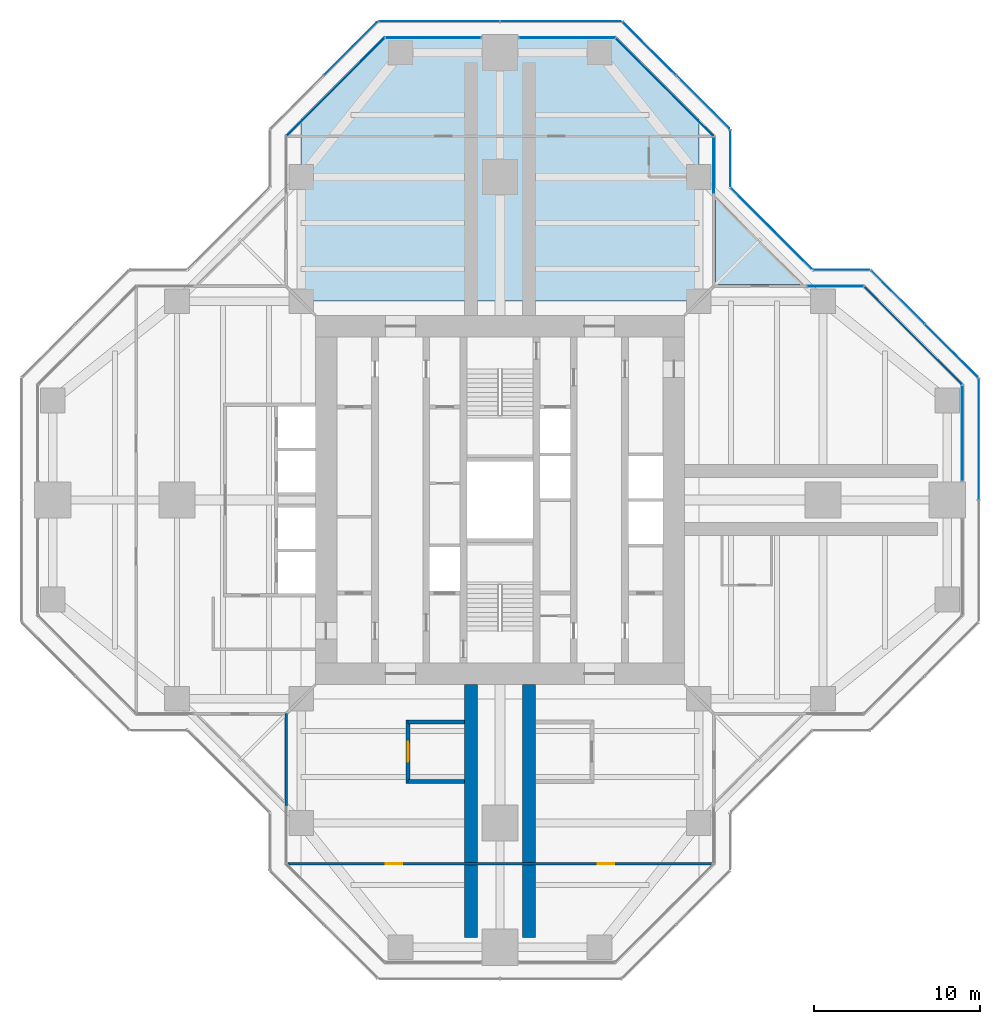
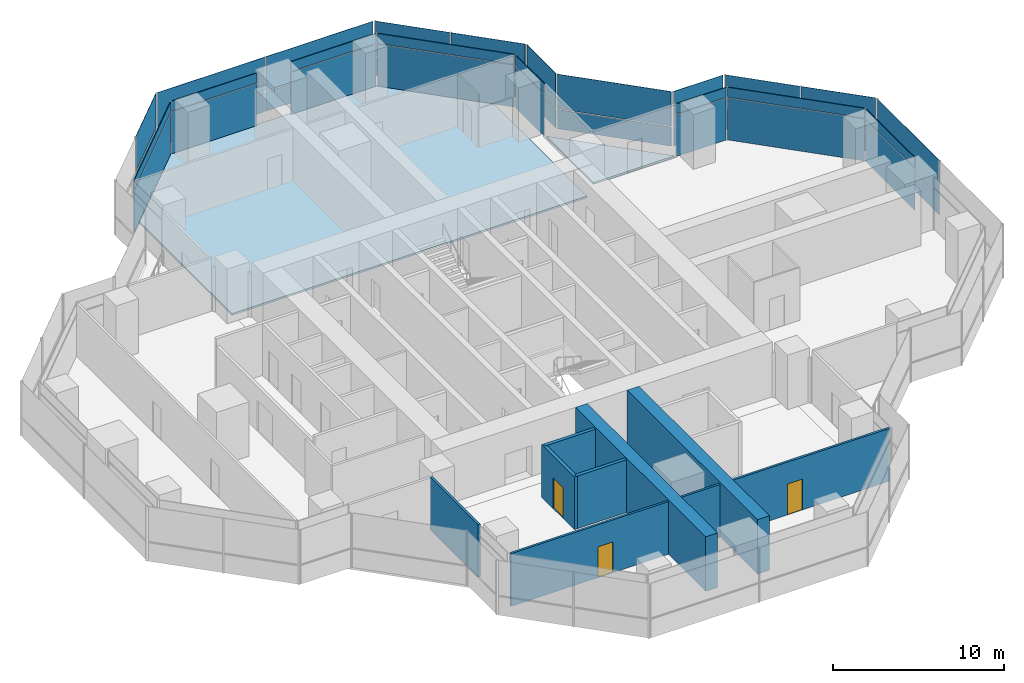
# One storey, part 12 of 17: 38 plates, 7 walls, 3 doors, 2 slabs, 3 openings, 16 elements without a shape of their own.
"""IFC4 building model written with IfcOpenShell, lengths in metres."""

import ifcopenshell
import ifcopenshell.guid

model = None  # the IFC model being written
_history = None  # IfcOwnerHistory: only IFC2X3 demands one
_inside = {}  # id of a spatial element -> (the spatial element, [elements in it])
_under = {}  # id of a project, library or spatial element -> (it, [spatial elements below it])
_declared = {}  # id of a project -> (the project, [libraries it declares])
_typed = {}  # id of a type object -> (the type object, [elements of that type])
_made_of = {}  # id of a material, layer set ... -> (it, [elements and type objects made of it])


def new_model(schema):
    """Start an empty IFC model of exactly this schema.

    Asked for "IFC4X3", IfcOpenShell would pick the latest addendum, in which some entities
    have other attributes; the version numbers below select the first issue.
    IFC2X3 requires an IfcOwnerHistory on every rooted entity: one is made here for all.
    """
    global model, _history
    if schema == "IFC4X3":
        model = ifcopenshell.file(schema_version=(4, 3, 0, 0))
    else:
        model = ifcopenshell.file(schema=schema)
    _inside.clear()
    _under.clear()
    _declared.clear()
    _typed.clear()
    _made_of.clear()
    _history = None
    if model.schema == "IFC2X3":
        org = make("IfcOrganization", Name="unknown")
        user = make(
            "IfcPersonAndOrganization",
            ThePerson=make("IfcPerson", FamilyName="unknown"),
            TheOrganization=org,
        )
        app = make(
            "IfcApplication",
            ApplicationDeveloper=org,
            Version="unknown",
            ApplicationFullName="unknown",
            ApplicationIdentifier="unknown",
        )
        _history = make(
            "IfcOwnerHistory",
            OwningUser=user,
            OwningApplication=app,
            ChangeAction="ADDED",
            CreationDate=0,
        )
    return model


def make(cls, **values):
    """One entity of the class cls with the attributes given. An attribute that is None is left unset."""
    return model.create_entity(
        cls, **{name: value for name, value in values.items() if value is not None}
    )


def rooted(cls, **values):
    """An entity with a GlobalId (a new one), such as an element, a storey or a relation."""
    return make(cls, GlobalId=ifcopenshell.guid.new(), OwnerHistory=_history, **values)


def si_unit(unit_type, name, prefix=None):
    """IfcSIUnit, for example si_unit("LENGTHUNIT", "METRE", prefix="MILLI")."""
    return make("IfcSIUnit", UnitType=unit_type, Prefix=prefix, Name=name)


def assignment(units):
    """IfcUnitAssignment: the units of a project."""
    return None if units is None else make("IfcUnitAssignment", Units=units)


def point(xyz):
    """IfcCartesianPoint."""
    return None if xyz is None else make("IfcCartesianPoint", Coordinates=xyz)


def direction(xyz):
    """IfcDirection."""
    return None if xyz is None else make("IfcDirection", DirectionRatios=xyz)


def frame(location, z_axis=None, x_axis=None):
    """IfcAxis2Placement3D, a coordinate frame: its origin and axes. An axis left out is left unset."""
    return make(
        "IfcAxis2Placement3D",
        Location=point(location),
        Axis=direction(z_axis),
        RefDirection=direction(x_axis),
    )


def frame_2d(location, x_axis=None):
    """IfcAxis2Placement2D, a coordinate frame in the plane: its origin and x axis."""
    return make(
        "IfcAxis2Placement2D", Location=point(location), RefDirection=direction(x_axis)
    )


def origin():
    """The frame at (0, 0, 0) with its axes left unset."""
    return frame((0.0, 0.0, 0.0))


def origin_2d():
    """The frame at (0, 0) in the plane with its x axis left unset."""
    return frame_2d((0.0, 0.0))


def place(relative_to, where):
    """IfcLocalPlacement: puts the frame where relative to a parent placement (None: the world)."""
    return make(
        "IfcLocalPlacement", PlacementRelTo=relative_to, RelativePlacement=where
    )


def context(
    kind, dimensions, precision=None, world=None, true_north=None, identifier=None
):
    """IfcGeometricRepresentationContext, for example the 3D "Model" context."""
    return make(
        "IfcGeometricRepresentationContext",
        ContextIdentifier=identifier,
        ContextType=kind,
        CoordinateSpaceDimension=dimensions,
        Precision=precision,
        WorldCoordinateSystem=world,
        TrueNorth=true_north,
    )


def subcontext(parent, identifier, kind, view, scale=None):
    """IfcGeometricRepresentationSubContext, for example "Body" below "Model"."""
    return make(
        "IfcGeometricRepresentationSubContext",
        ContextIdentifier=identifier,
        ContextType=kind,
        ParentContext=parent,
        TargetScale=scale,
        TargetView=view,
    )


def project(units=None, contexts=None):
    """IfcProject with its units and contexts."""
    return rooted(
        "IfcProject",
        Name="project",
        RepresentationContexts=contexts,
        UnitsInContext=assignment(units),
    )


def spatial(cls, under=None, at=None, **own):
    """A site, building, storey or space (cls), placed at a placement, below another one or the project."""
    s = rooted(cls, ObjectPlacement=at, **own)
    if under is not None:
        _under.setdefault(under.id(), (under, []))[1].append(s)
    return s


def polyline(points):
    """IfcPolyline through the points."""
    return make("IfcPolyline", Points=[point(p) for p in points])


def profile(cls, at=None, kind="AREA", **sizes):
    """A parametric profile (cls). Its sizes go by their IFC names, for example OverallWidth=200.0."""
    return make(cls, ProfileType=kind, Position=at, **sizes)


def rectangle(**sizes):
    """IfcRectangleProfileDef."""
    return profile("IfcRectangleProfileDef", **sizes)


def outline(outer, holes=None, kind="AREA"):
    """IfcArbitraryClosedProfileDef: a profile drawn as a closed curve; with holes, ...WithVoids."""
    if holes is None:
        return make("IfcArbitraryClosedProfileDef", ProfileType=kind, OuterCurve=outer)
    return make(
        "IfcArbitraryProfileDefWithVoids",
        ProfileType=kind,
        OuterCurve=outer,
        InnerCurves=holes,
    )


def extrude(swept, where, along, depth):
    """IfcExtrudedAreaSolid: the profile swept, set in the frame where, extruded along a direction by depth."""
    return make(
        "IfcExtrudedAreaSolid",
        SweptArea=swept,
        Position=where,
        ExtrudedDirection=direction(along),
        Depth=depth,
    )


def shape(context_of_items, identifier, shape_type, items):
    """IfcShapeRepresentation: the items that make up one representation, for example the "Body"."""
    return make(
        "IfcShapeRepresentation",
        ContextOfItems=context_of_items,
        RepresentationIdentifier=identifier,
        RepresentationType=shape_type,
        Items=items,
    )


def material(Name=None, Category=None):
    """IfcMaterial."""
    return make("IfcMaterial", Name=Name, Category=Category)


def layer(
    of_material, thickness, ventilated=None, Name=None, Category=None, Priority=None
):
    """IfcMaterialLayer: one layer of a wall or slab, of a material (None: an air gap)."""
    return make(
        "IfcMaterialLayer",
        Material=of_material,
        LayerThickness=thickness,
        IsVentilated=ventilated,
        Name=Name,
        Category=Category,
        Priority=Priority,
    )


def layer_set(layers, Name=None):
    """IfcMaterialLayerSet."""
    return make("IfcMaterialLayerSet", MaterialLayers=layers, LayerSetName=Name)


def made_of(thing, what):
    """Note that an element or type object is made of a material, layer set ...; save() writes the relation."""
    if what is not None:
        _made_of.setdefault(what.id(), (what, []))[1].append(thing)
    return thing


def type_object(cls, material=None, **own):
    """A type object (cls), such as IfcWallType, which elements share."""
    return made_of(rooted(cls, **own), material)


def element(
    cls,
    number,
    at=None,
    inside=None,
    cuts=None,
    type_object=None,
    material=None,
    context=None,
    identifier="Body",
    shape_type=None,
    held_by="IfcProductDefinitionShape",
    body=None,
    shapes=None,
    **own,
):
    """One element of the class cls, such as IfcWall. Its Tag is "e" and its number.

    at: its placement. inside: the storey or other place that contains it. cuts: it is an
    opening in that element (IfcRelVoidsElement). A single representation is given by context,
    identifier, shape_type and body (its items); several are given by shapes. held_by: the class
    of the entity that holds the representations. save() writes the other relations.
    """
    e = rooted(cls, Tag="e%d" % number, ObjectPlacement=at, **own)
    if body is not None:
        shapes = [shape(context, identifier, shape_type, body)]
    if shapes is not None:
        e.Representation = make(held_by, Representations=shapes)
    if inside is not None:
        _inside.setdefault(inside.id(), (inside, []))[1].append(e)
    if cuts is not None:
        rooted(
            "IfcRelVoidsElement", RelatingBuildingElement=cuts, RelatedOpeningElement=e
        )
    if type_object is not None:
        _typed.setdefault(type_object.id(), (type_object, []))[1].append(e)
    return made_of(e, material)


def fill(opening, filler):
    """IfcRelFillsElement: the door or window that sits in an opening."""
    return rooted(
        "IfcRelFillsElement",
        RelatingOpeningElement=opening,
        RelatedBuildingElement=filler,
    )


def aggregate(whole, parts):
    """IfcRelAggregates: a whole, such as a stair, and the parts it consists of."""
    return rooted("IfcRelAggregates", RelatingObject=whole, RelatedObjects=parts)


def save(model, path):
    """Write the relations noted so far, then the file.

    IfcRelAggregates (storeys below a building ...), IfcRelContainedInSpatialStructure (elements
    in a storey), IfcRelDefinesByType, IfcRelAssociatesMaterial and IfcRelDeclares: one each for
    every whole, place, type object, material and project.
    """
    for whole, parts in _under.values():
        aggregate(whole, parts)
    for where, things in _inside.values():
        rooted(
            "IfcRelContainedInSpatialStructure",
            RelatedElements=things,
            RelatingStructure=where,
        )
    for kind, things in _typed.values():
        rooted("IfcRelDefinesByType", RelatedObjects=things, RelatingType=kind)
    for what, things in _made_of.values():
        rooted("IfcRelAssociatesMaterial", RelatedObjects=things, RelatingMaterial=what)
    for by, libraries in _declared.values():
        rooted("IfcRelDeclares", RelatingContext=by, RelatedDefinitions=libraries)
    model.write(path)


model = new_model("IFC4")

# Units and contexts
model_context = context("Model", 3, precision=1e-05, world=origin(), true_north=direction((0.0, 1.0)))
body_context = subcontext(model_context, "Body", "Model", "MODEL_VIEW")
ifc_project = project(units=[si_unit("LENGTHUNIT", "METRE"), si_unit("AREAUNIT", "SQUARE_METRE"), si_unit("VOLUMEUNIT", "CUBIC_METRE"), si_unit("PLANEANGLEUNIT", "RADIAN"), si_unit("MASSUNIT", "GRAM", prefix="KILO")], contexts=[model_context])

# Site, building, storey
site_placement = place(None, origin())
site = spatial("IfcSite", under=ifc_project, at=site_placement, CompositionType="ELEMENT")
building_placement = place(site_placement, origin())
building = spatial("IfcBuilding", under=site, at=building_placement, Name="Mizan Broadcast Tower", CompositionType="ELEMENT")
storey_placement = place(building_placement, frame((0.0, 0.0, 216.60009765625)))
storey = spatial("IfcBuildingStorey", under=building, at=storey_placement, Name="L50", CompositionType="ELEMENT", Elevation=216.60009765625)

# Slab
ifc_material_1 = material(Name="Concrete C32/40", Category="concrete")
ifc_layer_1 = layer(ifc_material_1, 0.1298828125)
ifc_layer_set_1 = layer_set([ifc_layer_1], Name="Concrete C32/40")
slab_type_1 = type_object("IfcSlabType", Name="COMPOSITE DECK SLAB 130", PredefinedType="FLOOR", material=ifc_layer_set_1)
slab_1_placement = place(storey_placement, frame((0.0, 0.0, -0.130126953125)))
element("IfcSlab", 1, at=slab_1_placement, inside=storey, type_object=slab_type_1, Name="Floor slab L50 north arm", PredefinedType="FLOOR", context=body_context, shape_type="SweptSolid", body=[
    extrude(outline(polyline([(-7.0, 28.0), (-12.0, 23.0), (-12.0, 12.0), (12.0, 12.0), (12.0, 23.0), (7.0, 28.0), (-7.0, 28.0)])), origin(), (0.0, 0.0, 1.0), 0.130126953125),
])

# Curtain wall, plate
ifc_material_2 = material(Name="Aluminium framed glazing", Category="aluminium")
curtain_wall_type_1 = type_object("IfcCurtainWallType", Name="INNER SKIN HIGH ZONE", PredefinedType="USERDEFINED", material=ifc_material_2)
curtain_wall_1_placement = place(storey_placement, origin())
curtain_wall_1 = element("IfcCurtainWall", 2, at=curtain_wall_1_placement, inside=storey, type_object=curtain_wall_type_1, Name="Inner skin high zone L50 E end", ObjectType="INNER SKIN HIGH ZONE", PredefinedType="USERDEFINED")
ifc_material_3 = material(Name="Double glazing, clear low-e", Category="glass")
ifc_layer_2 = layer(ifc_material_3, 0.028076171875)
ifc_layer_set_2 = layer_set([ifc_layer_2], Name="Double glazing, clear low-e")
plate_type_1 = type_object("IfcPlateType", Name="INNER SKIN GLAZING UNIT", PredefinedType="CURTAIN_PANEL", material=ifc_layer_set_2)
plate_1_placement = place(storey_placement, frame((27.89990234375, 4.029296875, 0.0), z_axis=(0.0, 0.0, 1.0), x_axis=(0.0, 1.0, 0.0)))
plate_1 = element("IfcPlate", 3, at=plate_1_placement, type_object=plate_type_1, Name="Inner skin high zone L50 E end panel 1.1", PredefinedType="CURTAIN_PANEL", context=body_context, shape_type="SweptSolid", body=[
    extrude(rectangle(XDim=5.738525390625, YDim=0.028076171875, at=origin_2d()), origin(), (0.0, 0.0, 1.0), 3.0),
])

curtain_wall_2_placement = place(storey_placement, origin())
curtain_wall_2 = element("IfcCurtainWall", 4, at=curtain_wall_2_placement, inside=storey, type_object=curtain_wall_type_1, Name="Inner skin high zone L50 E chamfer", ObjectType="INNER SKIN HIGH ZONE", PredefinedType="USERDEFINED")
plate_2_placement = place(storey_placement, frame((24.92919921875, 9.92919921875, 0.0), z_axis=(0.0, 0.0, 1.0), x_axis=(-0.707106781187, 0.707106781187, 0.0)))
plate_2 = element("IfcPlate", 5, at=plate_2_placement, type_object=plate_type_1, Name="Inner skin high zone L50 E chamfer panel 1.1", PredefinedType="CURTAIN_PANEL", context=body_context, shape_type="SweptSolid", body=[
    extrude(rectangle(XDim=8.282470703125, YDim=0.028076171875, at=origin_2d()), origin(), (0.0, 0.0, 1.0), 3.0),
])

curtain_wall_3_placement = place(storey_placement, origin())
curtain_wall_3 = element("IfcCurtainWall", 6, at=curtain_wall_3_placement, inside=storey, type_object=curtain_wall_type_1, Name="Inner skin high zone L50 E side", ObjectType="INNER SKIN HIGH ZONE", PredefinedType="USERDEFINED")
plate_3_placement = place(storey_placement, frame((20.229248046875, 12.89990234375, 0.0), z_axis=(0.0, 0.0, 1.0), x_axis=(-1.0, 0.0, 0.0)))
plate_3 = element("IfcPlate", 7, at=plate_3_placement, type_object=plate_type_1, Name="Inner skin high zone L50 E side panel 1.1", PredefinedType="CURTAIN_PANEL", context=body_context, shape_type="SweptSolid", body=[
    extrude(rectangle(XDim=3.338623046875, YDim=0.028076171875, at=origin_2d()), origin(), (0.0, 0.0, 1.0), 3.0),
])

curtain_wall_4_placement = place(storey_placement, origin())
curtain_wall_4 = element("IfcCurtainWall", 8, at=curtain_wall_4_placement, inside=storey, type_object=curtain_wall_type_1, Name="Inner skin high zone L50 N side", ObjectType="INNER SKIN HIGH ZONE", PredefinedType="USERDEFINED")
plate_4_placement = place(storey_placement, frame((12.89990234375, 20.229248046875, 0.0), z_axis=(0.0, 0.0, 1.0), x_axis=(0.0, 1.0, 0.0)))
plate_4 = element("IfcPlate", 9, at=plate_4_placement, type_object=plate_type_1, Name="Inner skin high zone L50 N side panel 1.1", PredefinedType="CURTAIN_PANEL", context=body_context, shape_type="SweptSolid", body=[
    extrude(rectangle(XDim=3.338623046875, YDim=0.028076171875, at=origin_2d()), origin(), (0.0, 0.0, 1.0), 3.0),
])

curtain_wall_5_placement = place(storey_placement, origin())
curtain_wall_5 = element("IfcCurtainWall", 10, at=curtain_wall_5_placement, inside=storey, type_object=curtain_wall_type_1, Name="Inner skin high zone L50 N chamfer", ObjectType="INNER SKIN HIGH ZONE", PredefinedType="USERDEFINED")
plate_5_placement = place(storey_placement, frame((9.92919921875, 24.92919921875, 0.0), z_axis=(0.0, 0.0, 1.0), x_axis=(-0.707106781187, 0.707106781187, 0.0)))
plate_5 = element("IfcPlate", 11, at=plate_5_placement, type_object=plate_type_1, Name="Inner skin high zone L50 N chamfer panel 1.1", PredefinedType="CURTAIN_PANEL", context=body_context, shape_type="SweptSolid", body=[
    extrude(rectangle(XDim=8.282470703125, YDim=0.028076171875, at=origin_2d()), origin(), (0.0, 0.0, 1.0), 3.0),
])

curtain_wall_6_placement = place(storey_placement, origin())
curtain_wall_6 = element("IfcCurtainWall", 12, at=curtain_wall_6_placement, inside=storey, type_object=curtain_wall_type_1, Name="Inner skin high zone L50 N end", ObjectType="INNER SKIN HIGH ZONE", PredefinedType="USERDEFINED")
plate_6_placement = place(storey_placement, frame((4.029296875, 27.89990234375, 0.0), z_axis=(0.0, 0.0, 1.0), x_axis=(-1.0, 0.0, 0.0)))
plate_6 = element("IfcPlate", 13, at=plate_6_placement, type_object=plate_type_1, Name="Inner skin high zone L50 N end panel 1.1", PredefinedType="CURTAIN_PANEL", context=body_context, shape_type="SweptSolid", body=[
    extrude(rectangle(XDim=5.738525390625, YDim=0.028076171875, at=origin_2d()), origin(), (0.0, 0.0, 1.0), 3.0),
])

curtain_wall_7_placement = place(storey_placement, origin())
curtain_wall_7 = element("IfcCurtainWall", 14, at=curtain_wall_7_placement, inside=storey, type_object=curtain_wall_type_1, Name="Inner skin high zone L50 N end", ObjectType="INNER SKIN HIGH ZONE", PredefinedType="USERDEFINED")
plate_7_placement = place(storey_placement, frame((-4.029296875, 27.89990234375, 0.0), z_axis=(0.0, 0.0, 1.0), x_axis=(-1.0, 0.0, 0.0)))
plate_7 = element("IfcPlate", 15, at=plate_7_placement, type_object=plate_type_1, Name="Inner skin high zone L50 N end panel 1.1", PredefinedType="CURTAIN_PANEL", context=body_context, shape_type="SweptSolid", body=[
    extrude(rectangle(XDim=5.738525390625, YDim=0.028076171875, at=origin_2d()), origin(), (0.0, 0.0, 1.0), 3.0),
])

curtain_wall_8_placement = place(storey_placement, origin())
curtain_wall_8 = element("IfcCurtainWall", 16, at=curtain_wall_8_placement, inside=storey, type_object=curtain_wall_type_1, Name="Inner skin high zone L50 N chamfer", ObjectType="INNER SKIN HIGH ZONE", PredefinedType="USERDEFINED")
plate_8_placement = place(storey_placement, frame((-9.92919921875, 24.92919921875, 0.0), z_axis=(0.0, 0.0, 1.0), x_axis=(-0.707106781187, -0.707106781187, 0.0)))
plate_8 = element("IfcPlate", 17, at=plate_8_placement, type_object=plate_type_1, Name="Inner skin high zone L50 N chamfer panel 1.1", PredefinedType="CURTAIN_PANEL", context=body_context, shape_type="SweptSolid", body=[
    extrude(rectangle(XDim=8.282470703125, YDim=0.028076171875, at=origin_2d()), origin(), (0.0, 0.0, 1.0), 3.0),
])

# Plate
ifc_material_4 = material(Name="Insulated aluminium spandrel panel, pale anodised", Category="aluminium")
ifc_layer_3 = layer(ifc_material_4, 0.050048828125)
ifc_layer_set_3 = layer_set([ifc_layer_3], Name="Insulated aluminium spandrel panel, pale anodised")
plate_type_2 = type_object("IfcPlateType", Name="INNER SKIN SPANDREL PANEL", PredefinedType="CURTAIN_PANEL", material=ifc_layer_set_3)
plate_9_placement = place(storey_placement, frame((27.89990234375, 4.029296875, 3.059814453125), z_axis=(0.0, 0.0, 1.0), x_axis=(0.0, 1.0, 0.0)))
plate_9 = element("IfcPlate", 18, at=plate_9_placement, type_object=plate_type_2, Name="Inner skin high zone L50 E end panel 1.2", PredefinedType="CURTAIN_PANEL", context=body_context, shape_type="SweptSolid", body=[
    extrude(rectangle(XDim=5.738525390625, YDim=0.050048828125, at=origin_2d()), origin(), (0.0, 0.0, 1.0), 0.7099609375),
])

aggregate(curtain_wall_1, [plate_1, plate_9])

plate_10_placement = place(storey_placement, frame((24.92919921875, 9.92919921875, 3.059814453125), z_axis=(0.0, 0.0, 1.0), x_axis=(-0.707106781187, 0.707106781187, 0.0)))
plate_10 = element("IfcPlate", 19, at=plate_10_placement, type_object=plate_type_2, Name="Inner skin high zone L50 E chamfer panel 1.2", PredefinedType="CURTAIN_PANEL", context=body_context, shape_type="SweptSolid", body=[
    extrude(rectangle(XDim=8.282470703125, YDim=0.050048828125, at=origin_2d()), origin(), (0.0, 0.0, 1.0), 0.7099609375),
])

aggregate(curtain_wall_2, [plate_2, plate_10])

plate_11_placement = place(storey_placement, frame((20.229248046875, 12.89990234375, 3.059814453125), z_axis=(0.0, 0.0, 1.0), x_axis=(-1.0, 0.0, 0.0)))
plate_11 = element("IfcPlate", 20, at=plate_11_placement, type_object=plate_type_2, Name="Inner skin high zone L50 E side panel 1.2", PredefinedType="CURTAIN_PANEL", context=body_context, shape_type="SweptSolid", body=[
    extrude(rectangle(XDim=3.338623046875, YDim=0.050048828125, at=origin_2d()), origin(), (0.0, 0.0, 1.0), 0.7099609375),
])

aggregate(curtain_wall_3, [plate_3, plate_11])

plate_12_placement = place(storey_placement, frame((12.89990234375, 20.229248046875, 3.059814453125), z_axis=(0.0, 0.0, 1.0), x_axis=(0.0, 1.0, 0.0)))
plate_12 = element("IfcPlate", 21, at=plate_12_placement, type_object=plate_type_2, Name="Inner skin high zone L50 N side panel 1.2", PredefinedType="CURTAIN_PANEL", context=body_context, shape_type="SweptSolid", body=[
    extrude(rectangle(XDim=3.338623046875, YDim=0.050048828125, at=origin_2d()), origin(), (0.0, 0.0, 1.0), 0.7099609375),
])

aggregate(curtain_wall_4, [plate_4, plate_12])

plate_13_placement = place(storey_placement, frame((9.92919921875, 24.92919921875, 3.059814453125), z_axis=(0.0, 0.0, 1.0), x_axis=(-0.707106781187, 0.707106781187, 0.0)))
plate_13 = element("IfcPlate", 22, at=plate_13_placement, type_object=plate_type_2, Name="Inner skin high zone L50 N chamfer panel 1.2", PredefinedType="CURTAIN_PANEL", context=body_context, shape_type="SweptSolid", body=[
    extrude(rectangle(XDim=8.282470703125, YDim=0.050048828125, at=origin_2d()), origin(), (0.0, 0.0, 1.0), 0.7099609375),
])

aggregate(curtain_wall_5, [plate_5, plate_13])

plate_14_placement = place(storey_placement, frame((4.029296875, 27.89990234375, 3.059814453125), z_axis=(0.0, 0.0, 1.0), x_axis=(-1.0, 0.0, 0.0)))
plate_14 = element("IfcPlate", 23, at=plate_14_placement, type_object=plate_type_2, Name="Inner skin high zone L50 N end panel 1.2", PredefinedType="CURTAIN_PANEL", context=body_context, shape_type="SweptSolid", body=[
    extrude(rectangle(XDim=5.738525390625, YDim=0.050048828125, at=origin_2d()), origin(), (0.0, 0.0, 1.0), 0.7099609375),
])

aggregate(curtain_wall_6, [plate_6, plate_14])

plate_15_placement = place(storey_placement, frame((-4.029296875, 27.89990234375, 3.059814453125), z_axis=(0.0, 0.0, 1.0), x_axis=(-1.0, 0.0, 0.0)))
plate_15 = element("IfcPlate", 24, at=plate_15_placement, type_object=plate_type_2, Name="Inner skin high zone L50 N end panel 1.2", PredefinedType="CURTAIN_PANEL", context=body_context, shape_type="SweptSolid", body=[
    extrude(rectangle(XDim=5.738525390625, YDim=0.050048828125, at=origin_2d()), origin(), (0.0, 0.0, 1.0), 0.7099609375),
])

aggregate(curtain_wall_7, [plate_7, plate_15])

plate_16_placement = place(storey_placement, frame((-9.92919921875, 24.92919921875, 3.059814453125), z_axis=(0.0, 0.0, 1.0), x_axis=(-0.707106781187, -0.707106781187, 0.0)))
plate_16 = element("IfcPlate", 25, at=plate_16_placement, type_object=plate_type_2, Name="Inner skin high zone L50 N chamfer panel 1.2", PredefinedType="CURTAIN_PANEL", context=body_context, shape_type="SweptSolid", body=[
    extrude(rectangle(XDim=8.282470703125, YDim=0.050048828125, at=origin_2d()), origin(), (0.0, 0.0, 1.0), 0.7099609375),
])

aggregate(curtain_wall_8, [plate_8, plate_16])

# Curtain wall, plates
ifc_material_5 = material(Name="Aluminium framed glazing", Category="aluminium")
curtain_wall_type_2 = type_object("IfcCurtainWallType", Name="OUTER SKIN", PredefinedType="USERDEFINED", material=ifc_material_5)
curtain_wall_9_placement = place(storey_placement, origin())
curtain_wall_9 = element("IfcCurtainWall", 26, at=curtain_wall_9_placement, inside=storey, type_object=curtain_wall_type_2, Name="Outer skin L50 E chamfer", ObjectType="OUTER SKIN", PredefinedType="USERDEFINED")
ifc_material_6 = material(Name="Laminated clear glass", Category="glass")
ifc_layer_4 = layer(ifc_material_6, 0.02001953125)
ifc_layer_set_4 = layer_set([ifc_layer_4], Name="Laminated clear glass")
plate_type_3 = type_object("IfcPlateType", Name="OUTER SKIN CLEAR GLASS", PredefinedType="CURTAIN_PANEL", material=ifc_layer_set_4)
plate_17_placement = place(storey_placement, frame((27.254150390625, 9.018798828125, -0.000244140625), z_axis=(0.0, 0.0, 1.0), x_axis=(-0.707106781187, 0.707106781187, 0.0)))
plate_17 = element("IfcPlate", 27, at=plate_17_placement, type_object=plate_type_3, Name="Outer skin L50 E chamfer panel 1.1", PredefinedType="CURTAIN_PANEL", context=body_context, shape_type="SweptSolid", body=[
    extrude(rectangle(XDim=4.495361328125, YDim=0.02001953125, at=origin_2d()), origin(), (0.0, 0.0, 1.0), 1.3701171875),
])
plate_18_placement = place(storey_placement, frame((27.254150390625, 9.018798828125, 1.4296875), z_axis=(0.0, 0.0, 1.0), x_axis=(-0.707106781187, 0.707106781187, 0.0)))
plate_18 = element("IfcPlate", 28, at=plate_18_placement, type_object=plate_type_3, Name="Outer skin L50 E chamfer panel 1.2", PredefinedType="CURTAIN_PANEL", context=body_context, shape_type="SweptSolid", body=[
    extrude(rectangle(XDim=4.495361328125, YDim=0.02001953125, at=origin_2d()), origin(), (0.0, 0.0, 1.0), 2.469970703125),
])

curtain_wall_10_placement = place(storey_placement, origin())
curtain_wall_10 = element("IfcCurtainWall", 29, at=curtain_wall_10_placement, inside=storey, type_object=curtain_wall_type_2, Name="Outer skin L50 E side", ObjectType="OUTER SKIN", PredefinedType="USERDEFINED")
plate_19_placement = place(storey_placement, frame((20.622802734375, 13.89990234375, -0.000244140625), z_axis=(0.0, 0.0, 1.0), x_axis=(-1.0, 0.0, 0.0)))
plate_19 = element("IfcPlate", 30, at=plate_19_placement, type_object=plate_type_3, Name="Outer skin L50 E side panel 1.1", PredefinedType="CURTAIN_PANEL", context=body_context, shape_type="SweptSolid", body=[
    extrude(rectangle(XDim=3.340087890625, YDim=0.02001953125, at=origin_2d()), origin(), (0.0, 0.0, 1.0), 1.3701171875),
])
plate_20_placement = place(storey_placement, frame((20.622802734375, 13.89990234375, 1.4296875), z_axis=(0.0, 0.0, 1.0), x_axis=(-1.0, 0.0, 0.0)))
plate_20 = element("IfcPlate", 31, at=plate_20_placement, type_object=plate_type_3, Name="Outer skin L50 E side panel 1.2", PredefinedType="CURTAIN_PANEL", context=body_context, shape_type="SweptSolid", body=[
    extrude(rectangle(XDim=3.340087890625, YDim=0.02001953125, at=origin_2d()), origin(), (0.0, 0.0, 1.0), 2.469970703125),
])
aggregate(curtain_wall_10, [plate_19, plate_20])

curtain_wall_11_placement = place(storey_placement, origin())
curtain_wall_11 = element("IfcCurtainWall", 32, at=curtain_wall_11_placement, inside=storey, type_object=curtain_wall_type_2, Name="Outer skin L50 E chamfer", ObjectType="OUTER SKIN", PredefinedType="USERDEFINED")
plate_21_placement = place(storey_placement, frame((16.386474609375, 16.386474609375, -0.000244140625), z_axis=(0.0, 0.0, 1.0), x_axis=(-0.707106781187, 0.707106781187, 0.0)))
plate_21 = element("IfcPlate", 33, at=plate_21_placement, type_object=plate_type_3, Name="Outer skin L50 E chamfer panel 1.1", PredefinedType="CURTAIN_PANEL", context=body_context, shape_type="SweptSolid", body=[
    extrude(rectangle(XDim=6.87255859375, YDim=0.02001953125, at=origin_2d()), origin(), (0.0, 0.0, 1.0), 1.3701171875),
])
plate_22_placement = place(storey_placement, frame((16.386474609375, 16.386474609375, 1.4296875), z_axis=(0.0, 0.0, 1.0), x_axis=(-0.707106781187, 0.707106781187, 0.0)))
plate_22 = element("IfcPlate", 34, at=plate_22_placement, type_object=plate_type_3, Name="Outer skin L50 E chamfer panel 1.2", PredefinedType="CURTAIN_PANEL", context=body_context, shape_type="SweptSolid", body=[
    extrude(rectangle(XDim=6.87255859375, YDim=0.02001953125, at=origin_2d()), origin(), (0.0, 0.0, 1.0), 2.469970703125),
])
aggregate(curtain_wall_11, [plate_21, plate_22])

curtain_wall_12_placement = place(storey_placement, origin())
curtain_wall_12 = element("IfcCurtainWall", 35, at=curtain_wall_12_placement, inside=storey, type_object=curtain_wall_type_2, Name="Outer skin L50 N side", ObjectType="OUTER SKIN", PredefinedType="USERDEFINED")
plate_23_placement = place(storey_placement, frame((13.89990234375, 20.622802734375, -0.000244140625), z_axis=(0.0, 0.0, 1.0), x_axis=(0.0, 1.0, 0.0)))
plate_23 = element("IfcPlate", 36, at=plate_23_placement, type_object=plate_type_3, Name="Outer skin L50 N side panel 1.1", PredefinedType="CURTAIN_PANEL", context=body_context, shape_type="SweptSolid", body=[
    extrude(rectangle(XDim=3.340087890625, YDim=0.02001953125, at=origin_2d()), origin(), (0.0, 0.0, 1.0), 1.3701171875),
])
plate_24_placement = place(storey_placement, frame((13.89990234375, 20.622802734375, 1.4296875), z_axis=(0.0, 0.0, 1.0), x_axis=(0.0, 1.0, 0.0)))
plate_24 = element("IfcPlate", 37, at=plate_24_placement, type_object=plate_type_3, Name="Outer skin L50 N side panel 1.2", PredefinedType="CURTAIN_PANEL", context=body_context, shape_type="SweptSolid", body=[
    extrude(rectangle(XDim=3.340087890625, YDim=0.02001953125, at=origin_2d()), origin(), (0.0, 0.0, 1.0), 2.469970703125),
])
aggregate(curtain_wall_12, [plate_23, plate_24])

curtain_wall_13_placement = place(storey_placement, origin())
curtain_wall_13 = element("IfcCurtainWall", 38, at=curtain_wall_13_placement, inside=storey, type_object=curtain_wall_type_2, Name="Outer skin L50 N chamfer", ObjectType="OUTER SKIN", PredefinedType="USERDEFINED")
plate_25_placement = place(storey_placement, frame((12.254150390625, 24.018798828125, -0.000244140625), z_axis=(0.0, 0.0, 1.0), x_axis=(-0.707106781187, 0.707106781187, 0.0)))
plate_25 = element("IfcPlate", 39, at=plate_25_placement, type_object=plate_type_3, Name="Outer skin L50 N chamfer panel 1.1", PredefinedType="CURTAIN_PANEL", context=body_context, shape_type="SweptSolid", body=[
    extrude(rectangle(XDim=4.495361328125, YDim=0.02001953125, at=origin_2d()), origin(), (0.0, 0.0, 1.0), 1.3701171875),
])
plate_26_placement = place(storey_placement, frame((12.254150390625, 24.018798828125, 1.4296875), z_axis=(0.0, 0.0, 1.0), x_axis=(-0.707106781187, 0.707106781187, 0.0)))
plate_26 = element("IfcPlate", 40, at=plate_26_placement, type_object=plate_type_3, Name="Outer skin L50 N chamfer panel 1.2", PredefinedType="CURTAIN_PANEL", context=body_context, shape_type="SweptSolid", body=[
    extrude(rectangle(XDim=4.495361328125, YDim=0.02001953125, at=origin_2d()), origin(), (0.0, 0.0, 1.0), 2.469970703125),
])

curtain_wall_14_placement = place(storey_placement, origin())
curtain_wall_14 = element("IfcCurtainWall", 41, at=curtain_wall_14_placement, inside=storey, type_object=curtain_wall_type_2, Name="Outer skin L50 N end", ObjectType="OUTER SKIN", PredefinedType="USERDEFINED")
plate_27_placement = place(storey_placement, frame((3.66650390625, 28.89990234375, -0.000244140625), z_axis=(0.0, 0.0, 1.0), x_axis=(-1.0, 0.0, 0.0)))
plate_27 = element("IfcPlate", 42, at=plate_27_placement, type_object=plate_type_3, Name="Outer skin L50 N end panel 1.1", PredefinedType="CURTAIN_PANEL", context=body_context, shape_type="SweptSolid", body=[
    extrude(rectangle(XDim=7.252685546875, YDim=0.02001953125, at=origin_2d()), origin(), (0.0, 0.0, 1.0), 1.3701171875),
])
plate_28_placement = place(storey_placement, frame((3.66650390625, 28.89990234375, 1.4296875), z_axis=(0.0, 0.0, 1.0), x_axis=(-1.0, 0.0, 0.0)))
plate_28 = element("IfcPlate", 43, at=plate_28_placement, type_object=plate_type_3, Name="Outer skin L50 N end panel 1.2", PredefinedType="CURTAIN_PANEL", context=body_context, shape_type="SweptSolid", body=[
    extrude(rectangle(XDim=7.252685546875, YDim=0.02001953125, at=origin_2d()), origin(), (0.0, 0.0, 1.0), 2.469970703125),
])
plate_29_placement = place(storey_placement, frame((-3.66650390625, 28.89990234375, -0.000244140625), z_axis=(0.0, 0.0, 1.0), x_axis=(-1.0, 0.0, 0.0)))
plate_29 = element("IfcPlate", 44, at=plate_29_placement, type_object=plate_type_3, Name="Outer skin L50 N end panel 2.1", PredefinedType="CURTAIN_PANEL", context=body_context, shape_type="SweptSolid", body=[
    extrude(rectangle(XDim=7.252685546875, YDim=0.02001953125, at=origin_2d()), origin(), (0.0, 0.0, 1.0), 1.3701171875),
])
plate_30_placement = place(storey_placement, frame((-3.66650390625, 28.89990234375, 1.4296875), z_axis=(0.0, 0.0, 1.0), x_axis=(-1.0, 0.0, 0.0)))
plate_30 = element("IfcPlate", 45, at=plate_30_placement, type_object=plate_type_3, Name="Outer skin L50 N end panel 2.2", PredefinedType="CURTAIN_PANEL", context=body_context, shape_type="SweptSolid", body=[
    extrude(rectangle(XDim=7.252685546875, YDim=0.02001953125, at=origin_2d()), origin(), (0.0, 0.0, 1.0), 2.469970703125),
])
aggregate(curtain_wall_14, [plate_27, plate_28, plate_29, plate_30])

curtain_wall_15_placement = place(storey_placement, origin())
curtain_wall_15 = element("IfcCurtainWall", 46, at=curtain_wall_15_placement, inside=storey, type_object=curtain_wall_type_2, Name="Outer skin L50 N chamfer", ObjectType="OUTER SKIN", PredefinedType="USERDEFINED")
plate_31_placement = place(storey_placement, frame((-9.018798828125, 27.254150390625, -0.000244140625), z_axis=(0.0, 0.0, 1.0), x_axis=(-0.707106781187, -0.707106781187, 0.0)))
plate_31 = element("IfcPlate", 47, at=plate_31_placement, type_object=plate_type_3, Name="Outer skin L50 N chamfer panel 1.1", PredefinedType="CURTAIN_PANEL", context=body_context, shape_type="SweptSolid", body=[
    extrude(rectangle(XDim=4.495361328125, YDim=0.02001953125, at=origin_2d()), origin(), (0.0, 0.0, 1.0), 1.3701171875),
])
plate_32_placement = place(storey_placement, frame((-9.018798828125, 27.254150390625, 1.4296875), z_axis=(0.0, 0.0, 1.0), x_axis=(-0.707106781187, -0.707106781187, 0.0)))
plate_32 = element("IfcPlate", 48, at=plate_32_placement, type_object=plate_type_3, Name="Outer skin L50 N chamfer panel 1.2", PredefinedType="CURTAIN_PANEL", context=body_context, shape_type="SweptSolid", body=[
    extrude(rectangle(XDim=4.495361328125, YDim=0.02001953125, at=origin_2d()), origin(), (0.0, 0.0, 1.0), 2.469970703125),
])
aggregate(curtain_wall_15, [plate_31, plate_32])

curtain_wall_16_placement = place(storey_placement, origin())
curtain_wall_16 = element("IfcCurtainWall", 49, at=curtain_wall_16_placement, inside=storey, type_object=curtain_wall_type_2, Name="Outer skin L50 E end", ObjectType="OUTER SKIN", PredefinedType="USERDEFINED")
ifc_material_7 = material(Name="Perforated aluminium, pale anodised", Category="aluminium")
ifc_layer_5 = layer(ifc_material_7, 0.011962890625)
ifc_layer_set_5 = layer_set([ifc_layer_5], Name="Perforated aluminium, pale anodised")
plate_type_4 = type_object("IfcPlateType", Name="OUTER SKIN PERFORATED SCREEN", PredefinedType="USERDEFINED", material=ifc_layer_set_5)
plate_33_placement = place(storey_placement, frame((28.89990234375, 3.66650390625, -0.000244140625), z_axis=(0.0, 0.0, 1.0), x_axis=(0.0, 1.0, 0.0)))
plate_33 = element("IfcPlate", 50, at=plate_33_placement, type_object=plate_type_4, Name="Outer skin L50 E end panel 2.1", ObjectType="SCREEN", PredefinedType="USERDEFINED", context=body_context, shape_type="SweptSolid", body=[
    extrude(rectangle(XDim=7.252685546875, YDim=0.011962890625, at=origin_2d()), origin(), (0.0, 0.0, 1.0), 1.3701171875),
])
plate_34_placement = place(storey_placement, frame((28.89990234375, 3.66650390625, 1.4296875), z_axis=(0.0, 0.0, 1.0), x_axis=(0.0, 1.0, 0.0)))
plate_34 = element("IfcPlate", 51, at=plate_34_placement, type_object=plate_type_4, Name="Outer skin L50 E end panel 2.2", ObjectType="SCREEN", PredefinedType="USERDEFINED", context=body_context, shape_type="SweptSolid", body=[
    extrude(rectangle(XDim=7.252685546875, YDim=0.011962890625, at=origin_2d()), origin(), (0.0, 0.0, 1.0), 2.469970703125),
])
aggregate(curtain_wall_16, [plate_33, plate_34])

# Plate
plate_35_placement = place(storey_placement, frame((24.018798828125, 12.254150390625, -0.000244140625), z_axis=(0.0, 0.0, 1.0), x_axis=(-0.707106781187, 0.707106781187, 0.0)))
plate_35 = element("IfcPlate", 52, at=plate_35_placement, type_object=plate_type_4, Name="Outer skin L50 E chamfer panel 2.1", ObjectType="SCREEN", PredefinedType="USERDEFINED", context=body_context, shape_type="SweptSolid", body=[
    extrude(rectangle(XDim=4.495361328125, YDim=0.011962890625, at=origin_2d()), origin(), (0.0, 0.0, 1.0), 1.3701171875),
])

plate_36_placement = place(storey_placement, frame((24.018798828125, 12.254150390625, 1.4296875), z_axis=(0.0, 0.0, 1.0), x_axis=(-0.707106781187, 0.707106781187, 0.0)))
plate_36 = element("IfcPlate", 53, at=plate_36_placement, type_object=plate_type_4, Name="Outer skin L50 E chamfer panel 2.2", ObjectType="SCREEN", PredefinedType="USERDEFINED", context=body_context, shape_type="SweptSolid", body=[
    extrude(rectangle(XDim=4.495361328125, YDim=0.011962890625, at=origin_2d()), origin(), (0.0, 0.0, 1.0), 2.469970703125),
])

aggregate(curtain_wall_9, [plate_17, plate_18, plate_35, plate_36])

plate_37_placement = place(storey_placement, frame((9.018798828125, 27.254150390625, -0.000244140625), z_axis=(0.0, 0.0, 1.0), x_axis=(-0.707106781187, 0.707106781187, 0.0)))
plate_37 = element("IfcPlate", 54, at=plate_37_placement, type_object=plate_type_4, Name="Outer skin L50 N chamfer panel 2.1", ObjectType="SCREEN", PredefinedType="USERDEFINED", context=body_context, shape_type="SweptSolid", body=[
    extrude(rectangle(XDim=4.495361328125, YDim=0.011962890625, at=origin_2d()), origin(), (0.0, 0.0, 1.0), 1.3701171875),
])

plate_38_placement = place(storey_placement, frame((9.018798828125, 27.254150390625, 1.4296875), z_axis=(0.0, 0.0, 1.0), x_axis=(-0.707106781187, 0.707106781187, 0.0)))
plate_38 = element("IfcPlate", 55, at=plate_38_placement, type_object=plate_type_4, Name="Outer skin L50 N chamfer panel 2.2", ObjectType="SCREEN", PredefinedType="USERDEFINED", context=body_context, shape_type="SweptSolid", body=[
    extrude(rectangle(XDim=4.495361328125, YDim=0.011962890625, at=origin_2d()), origin(), (0.0, 0.0, 1.0), 2.469970703125),
])

aggregate(curtain_wall_13, [plate_25, plate_26, plate_37, plate_38])

# Slab
ifc_material_8 = material(Name="Concrete C32/40", Category="concrete")
ifc_layer_6 = layer(ifc_material_8, 0.1298828125)
ifc_layer_set_6 = layer_set([ifc_layer_6], Name="Concrete C32/40")
slab_type_2 = type_object("IfcSlabType", Name="WINTER GARDEN SLAB 130", PredefinedType="FLOOR", material=ifc_layer_set_6)
slab_2_placement = place(storey_placement, frame((0.0, 0.0, -0.130126953125)))
element("IfcSlab", 56, at=slab_2_placement, inside=storey, type_object=slab_type_2, Name="Winter garden slab L50 E", PredefinedType="FLOOR", context=body_context, shape_type="SweptSolid", body=[
    extrude(outline(polyline([(13.0, 13.0), (18.5, 13.0), (13.0, 18.5), (13.0, 13.0)])), origin(), (0.0, 0.0, 1.0), 0.130126953125),
])

# Wall
ifc_material_9 = material(Name="Aluminium framed glazed screen", Category="aluminium")
ifc_layer_7 = layer(ifc_material_9, 0.159912109375)
ifc_layer_set_7 = layer_set([ifc_layer_7], Name="Aluminium framed glazed screen")
wall_type_1 = type_object("IfcWallType", Name="GLAZED SCREEN WALL 160", PredefinedType="SOLIDWALL", material=ifc_layer_set_7)
wall_1_placement = place(storey_placement, frame((-12.89990234375, -12.89990234375, 0.0), z_axis=(0.0, 0.0, 1.0), x_axis=(0.0, -1.0, 0.0)))
element("IfcWall", 57, at=wall_1_placement, inside=storey, type_object=wall_type_1, Name="Winter garden screen L50 S", PredefinedType="SOLIDWALL", context=body_context, shape_type="SweptSolid", body=[
    extrude(rectangle(XDim=5.60009765625, YDim=0.159912109375, at=frame_2d((2.800048828125, 0.0))), origin(), (0.0, 0.0, 1.0), 3.77001953125),
])

# Wall, openings, doors
ifc_material_10 = material(Name="Gypsum board on steel studs", Category="steel")
ifc_layer_8 = layer(ifc_material_10, 0.14990234375)
ifc_layer_set_8 = layer_set([ifc_layer_8], Name="Gypsum board on steel studs")
wall_type_2 = type_object("IfcWallType", Name="PARTITION 150", PredefinedType="PARTITIONING", material=ifc_layer_set_8)
wall_2_placement = place(storey_placement, frame((-12.786376953125, -21.958984375, 0.0), z_axis=(0.0, 0.0, 1.0), x_axis=(1.0, 0.0, 0.0)))
wall_2 = element("IfcWall", 58, at=wall_2_placement, inside=storey, type_object=wall_type_2, Name="Partition PT/SX1", PredefinedType="PARTITIONING", context=body_context, shape_type="SweptSolid", body=[
    extrude(rectangle(XDim=25.57275390625, YDim=0.14990234375, at=frame_2d((12.786376953125, 0.0))), origin(), (0.0, 0.0, 1.0), 3.77001953125),
])
opening_1_placement = place(wall_2_placement, frame((18.6865234375, 0.0, 0.0)))
opening_1 = element("IfcOpeningElement", 59, at=opening_1_placement, cuts=wall_2, Name="Opening D10", PredefinedType="OPENING", context=body_context, shape_type="SweptSolid", body=[
    extrude(rectangle(XDim=1.0, YDim=2.199951171875, at=frame_2d((0.5, 1.10009765625))), frame((0.0, 0.0849609375, 0.0), z_axis=(0.0, -1.0, 0.0), x_axis=(1.0, 0.0, 0.0)), (0.0, 0.0, 1.0), 0.169921875),
])
opening_2_placement = place(wall_2_placement, frame((5.886474609375, 0.0, 0.0)))
opening_2 = element("IfcOpeningElement", 60, at=opening_2_placement, cuts=wall_2, Name="Opening D10", PredefinedType="OPENING", context=body_context, shape_type="SweptSolid", body=[
    extrude(rectangle(XDim=1.0, YDim=2.199951171875, at=frame_2d((0.5, 1.10009765625))), frame((0.0, 0.0849609375, 0.0), z_axis=(0.0, -1.0, 0.0), x_axis=(1.0, 0.0, 0.0)), (0.0, 0.0, 1.0), 0.169921875),
])
ifc_material_11 = material(Name="Timber door leaf in aluminium frame", Category="wood")
door_type_1 = type_object("IfcDoorType", Name="ROOM DOOR 1000", OperationType="SINGLE_SWING_LEFT", PredefinedType="DOOR", material=ifc_material_11)
door_1_placement = place(opening_1_placement, origin())
door_1 = element("IfcDoor", 61, at=door_1_placement, inside=storey, type_object=door_type_1, Name="Meeting room door", OperationType="SINGLE_SWING_RIGHT", OverallHeight=2.199951171875, OverallWidth=1.0, PredefinedType="DOOR", context=body_context, shape_type="SweptSolid", body=[
    extrude(rectangle(XDim=1.0, YDim=2.199951171875, at=frame_2d((0.5, 1.10009765625))), frame((0.0, 0.02490234375, 0.0), z_axis=(0.0, -1.0, 0.0), x_axis=(1.0, 0.0, 0.0)), (0.0, 0.0, 1.0), 0.050048828125),
])
fill(opening_1, door_1)
door_2_placement = place(opening_2_placement, origin())
door_2 = element("IfcDoor", 62, at=door_2_placement, inside=storey, type_object=door_type_1, Name="Meeting room door", OperationType="SINGLE_SWING_LEFT", OverallHeight=2.199951171875, OverallWidth=1.0, PredefinedType="DOOR", context=body_context, shape_type="SweptSolid", body=[
    extrude(rectangle(XDim=1.0, YDim=2.199951171875, at=frame_2d((0.5, 1.10009765625))), frame((0.0, 0.02490234375, 0.0), z_axis=(0.0, -1.0, 0.0), x_axis=(1.0, 0.0, 0.0)), (0.0, 0.0, 1.0), 0.050048828125),
])
fill(opening_2, door_2)

# Walls
ifc_material_12 = material(Name="Twin steel stud acoustic partition, four layers of gypsum board", Category="steel")
ifc_layer_9 = layer(ifc_material_12, 0.22509765625)
ifc_layer_set_9 = layer_set([ifc_layer_9], Name="Twin steel stud acoustic partition, four layers of gypsum board")
wall_type_3 = type_object("IfcWallType", Name="PARTITION ACOUSTIC 225", PredefinedType="PARTITIONING", material=ifc_layer_set_9)
for number, where, z_axis, x_axis, name in (
    (63, (-2.14990234375, -13.39990234375, 0.0), (0.0, 0.0, 1.0), (-1.0, 0.0, 0.0), "Acoustic partition PT/SKN0a"),
    (64, (-2.14990234375, -17.0, 0.0), (0.0, 0.0, 1.0), (-1.0, 0.0, 0.0), "Acoustic partition PT/SKN0b"),
):
    element("IfcWall", number, at=place(storey_placement, frame(where, z_axis=z_axis, x_axis=x_axis)), inside=storey, type_object=wall_type_3, Name=name, PredefinedType="PARTITIONING", context=body_context, shape_type="SweptSolid", body=[
        extrude(rectangle(XDim=3.400146484375, YDim=0.22509765625, at=frame_2d((1.7001953125, 0.0))), origin(), (0.0, 0.0, 1.0), 3.77001953125),
    ])

# Wall, opening, door
wall_3_placement = place(storey_placement, frame((-5.550048828125, -13.28759765625, 0.0), z_axis=(0.0, 0.0, 1.0), x_axis=(0.0, -1.0, 0.0)))
wall_3 = element("IfcWall", 65, at=wall_3_placement, inside=storey, type_object=wall_type_3, Name="Acoustic partition PT/SKN0f", PredefinedType="PARTITIONING", context=body_context, shape_type="SweptSolid", body=[
    extrude(rectangle(XDim=3.824951171875, YDim=0.22509765625, at=frame_2d((1.91259765625, 0.0))), origin(), (0.0, 0.0, 1.0), 3.77001953125),
])
opening_3_placement = place(wall_3_placement, frame((1.3125, 0.0, 0.0)))
opening_3 = element("IfcOpeningElement", 66, at=opening_3_placement, cuts=wall_3, Name="Opening D12A", PredefinedType="OPENING", context=body_context, shape_type="SweptSolid", body=[
    extrude(rectangle(XDim=1.199951171875, YDim=2.199951171875, at=frame_2d((0.60009765625, 1.10009765625))), frame((0.0, 0.12255859375, 0.0), z_axis=(0.0, -1.0, 0.0), x_axis=(1.0, 0.0, 0.0)), (0.0, 0.0, 1.0), 0.2451171875),
])
ifc_material_13 = material(Name="Timber door leaf in aluminium frame", Category="wood")
door_type_2 = type_object("IfcDoorType", Name="ACOUSTIC DOOR 1200", OperationType="SINGLE_SWING_LEFT", PredefinedType="DOOR", material=ifc_material_13)
door_3_placement = place(opening_3_placement, origin())
door_3 = element("IfcDoor", 67, at=door_3_placement, inside=storey, type_object=door_type_2, Name="Edit suite door", OperationType="SINGLE_SWING_LEFT", OverallHeight=2.199951171875, OverallWidth=1.199951171875, PredefinedType="DOOR", context=body_context, shape_type="SweptSolid", body=[
    extrude(rectangle(XDim=1.199951171875, YDim=2.199951171875, at=frame_2d((0.60009765625, 1.10009765625))), frame((0.0, 0.02490234375, 0.0), z_axis=(0.0, -1.0, 0.0), x_axis=(1.0, 0.0, 0.0)), (0.0, 0.0, 1.0), 0.050048828125),
])
fill(opening_3, door_3)

# Walls
ifc_material_14 = material(Name="Concrete C70/85", Category="concrete")
ifc_layer_10 = layer(ifc_material_14, 0.800048828125)
ifc_layer_set_10 = layer_set([ifc_layer_10], Name="Concrete C70/85")
wall_type_4 = type_object("IfcWallType", Name="SPINE WALL 800", PredefinedType="SHEAR", material=ifc_layer_set_10)
for number, where, z_axis, x_axis, name in (
    (68, (-1.75, -11.14990234375, 0.0), (0.0, 0.0, 1.0), (0.0, -1.0, 0.0), "Spine wall SR L50"),
    (69, (1.75, -11.14990234375, 0.0), (0.0, 0.0, 1.0), (0.0, -1.0, 0.0), "Spine wall SL L50"),
):
    element("IfcWall", number, at=place(storey_placement, frame(where, z_axis=z_axis, x_axis=x_axis)), inside=storey, type_object=wall_type_4, Name=name, PredefinedType="SHEAR", context=body_context, shape_type="SweptSolid", body=[
        extrude(rectangle(XDim=15.25, YDim=0.800048828125, at=frame_2d((7.625, 0.0))), origin(), (0.0, 0.0, 1.0), 3.89990234375),
    ])

save(model, "model.ifc")
